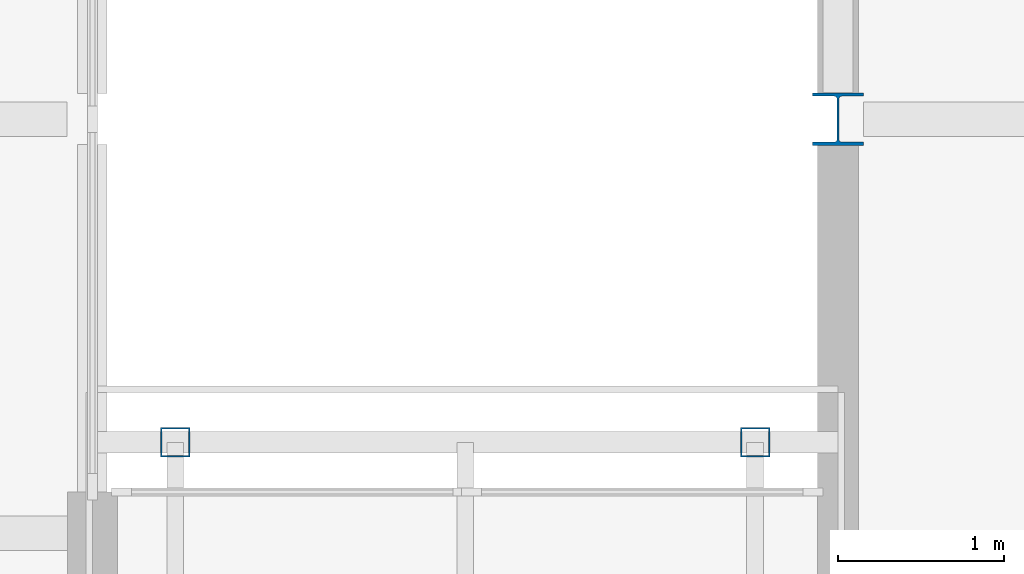
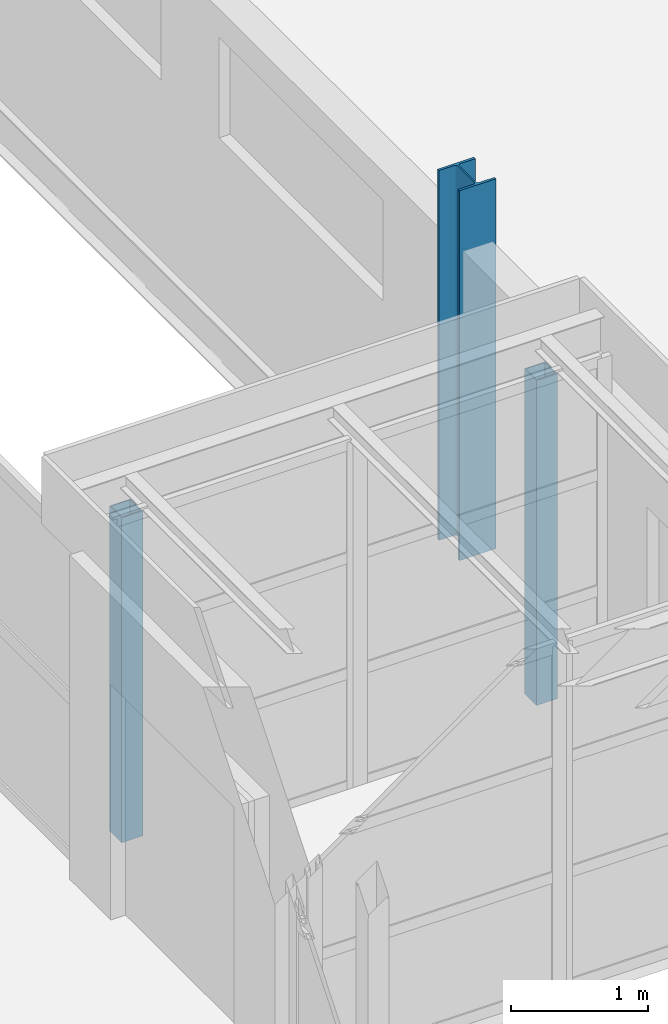
# One storey, part 11 of 214: 3 columns.
"""IFC4 building model written with IfcOpenShell, lengths in metres."""

from ifc_helpers import new_model, si_unit, direction, frame, origin, origin_2d, place, context, subcontext, project, spatial, hollow_rectangle, i_section, extrude, material, material_profile, profile_set, type_object, element, save


model = new_model("IFC4")

# Units and contexts
model_context = context("Model", 3, precision=1e-05, world=origin(), true_north=direction((0.0, 1.0)))
body_context = subcontext(model_context, "Body", "Model", "MODEL_VIEW")
ifc_project = project(units=[si_unit("LENGTHUNIT", "METRE"), si_unit("AREAUNIT", "SQUARE_METRE"), si_unit("VOLUMEUNIT", "CUBIC_METRE"), si_unit("PLANEANGLEUNIT", "RADIAN"), si_unit("MASSUNIT", "GRAM", prefix="KILO")], contexts=[model_context])

# Site, building, storey
site_placement = place(None, origin())
site = spatial("IfcSite", under=ifc_project, at=site_placement, CompositionType="ELEMENT")
building_placement = place(site_placement, origin())
building = spatial("IfcBuilding", under=site, at=building_placement, Name="Parallax Yard Mobility Hub", CompositionType="ELEMENT")
storey_placement = place(building_placement, frame((0.0, 0.0, 3.300048828125)))
storey = spatial("IfcBuildingStorey", under=building, at=storey_placement, Name="L01", CompositionType="ELEMENT", Elevation=3.300048828125)

# Columns
ifc_material_1 = material(Name="Steel ASTM A500 Gr C", Category="steel")
ifc_material_profile_1 = material_profile(ifc_material_1, hollow_rectangle(XDim=0.177734375, YDim=0.177734375, WallThickness=0.009521484375, at=origin_2d()), Name="HSS178x178x9.5")
ifc_profile_set_1 = profile_set([ifc_material_profile_1], Name="Steel ASTM A500 Gr C")
column_type_1 = type_object("IfcColumnType", Name="Roof column HSS178x178x9.5", PredefinedType="COLUMN", material=ifc_profile_set_1)
for number, where, z_axis, x_axis, name in (
    (1, (93.5, 35.550048828125, 0.0), (0.0, 0.0, 1.0), (1.0, 0.0, 0.0), "Bridge BR1 level L01 roof pier 1 at y 35.55 level L01"),
    (2, (97.0, 35.550048828125, 0.0), (0.0, 0.0, 1.0), (1.0, 0.0, 0.0), "Bridge BR1 level L01 roof pier 2 at y 35.55 level L01"),
):
    element("IfcColumn", number, at=place(storey_placement, frame(where, z_axis=z_axis, x_axis=x_axis)), inside=storey, type_object=column_type_1, Name=name, PredefinedType="COLUMN", context=body_context, shape_type="SweptSolid", body=[
        extrude(hollow_rectangle(XDim=0.177734375, YDim=0.177734375, WallThickness=0.009521484375, at=origin_2d()), origin(), (0.0, 0.0, 1.0), 2.89990234375),
    ])
ifc_material_2 = material(Name="Steel ASTM A992", Category="steel")
ifc_material_profile_2 = material_profile(ifc_material_2, i_section(OverallWidth=0.306884765625, OverallDepth=0.318115234375, WebThickness=0.01318359375, FlangeThickness=0.0205078125, FilletRadius=0.01513671875, at=origin_2d()), Name="W310x129")
ifc_profile_set_2 = profile_set([ifc_material_profile_2], Name="Steel ASTM A992")
column_type_2 = type_object("IfcColumnType", Name="W310x129 column", PredefinedType="COLUMN", material=ifc_profile_set_2)
column_placement = place(storey_placement, frame((97.5, 37.5, 0.0), z_axis=(0.0, 0.0, 1.0), x_axis=(1.0, 0.0, 0.0)))
element("IfcColumn", 3, at=column_placement, inside=storey, type_object=column_type_2, Name="Column C3 level L01 at F/14 of mobility service centre and workshops", PredefinedType="COLUMN", context=body_context, shape_type="SweptSolid", body=[
    extrude(i_section(OverallWidth=0.306884765625, OverallDepth=0.318115234375, WebThickness=0.01318359375, FlangeThickness=0.0205078125, FilletRadius=0.01513671875, at=origin_2d()), origin(), (0.0, 0.0, 1.0), 3.300048828125),
])

save(model, "model.ifc")
